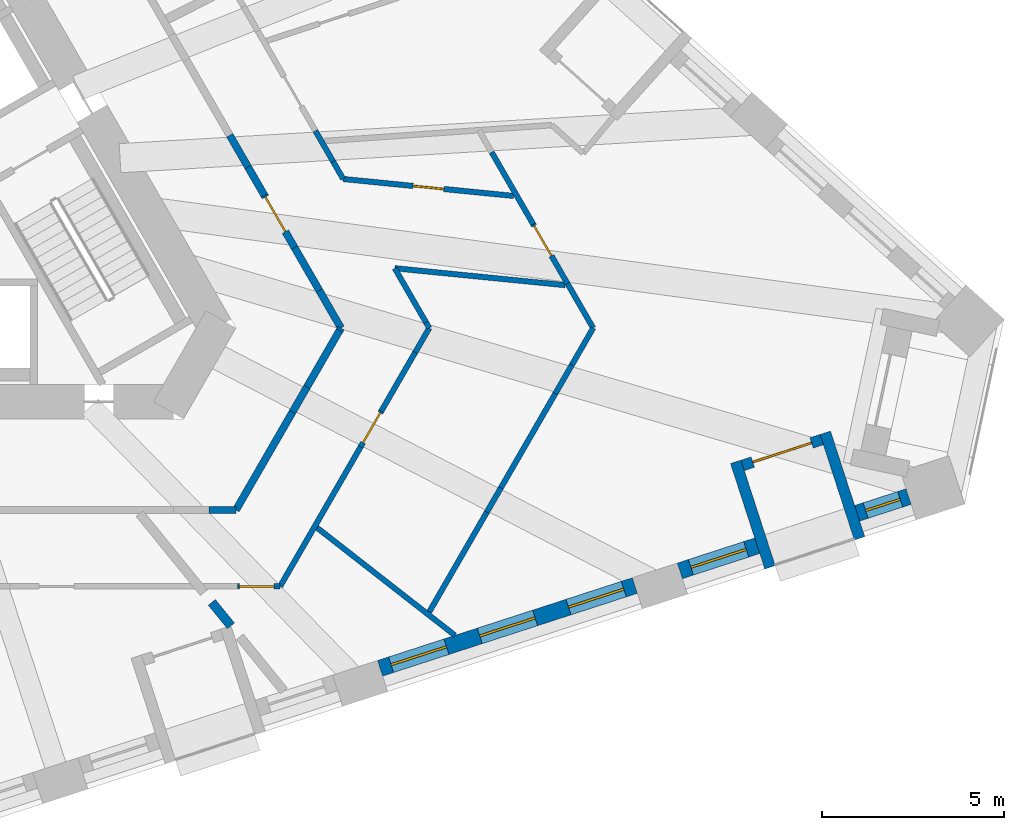
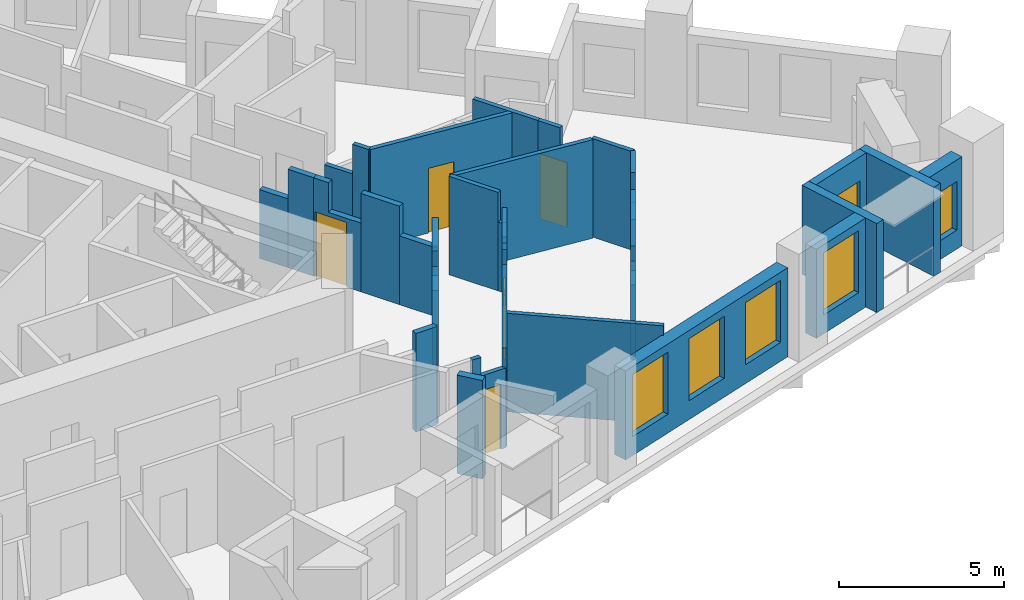
# One storey, part 6 of 13: 37 walls, 6 doors, 5 windows, 11 openings.
"""IFC4 building model written with IfcOpenShell, lengths in metres."""

from ifc_helpers import new_model, si_unit, direction, frame, frame_2d, origin, place, context, subcontext, project, spatial, polyline, rectangle, outline, extrude, material, layer, layer_set, type_object, element, fill, save


model = new_model("IFC4")

# Units and contexts
model_context = context("Model", 3, precision=1e-05, world=origin(), true_north=direction((0.0, 1.0)))
body_context = subcontext(model_context, "Body", "Model", "MODEL_VIEW")
ifc_project = project(units=[si_unit("LENGTHUNIT", "METRE"), si_unit("AREAUNIT", "SQUARE_METRE"), si_unit("VOLUMEUNIT", "CUBIC_METRE"), si_unit("PLANEANGLEUNIT", "RADIAN"), si_unit("MASSUNIT", "GRAM", prefix="KILO")], contexts=[model_context])

# Site, building, storey
site_placement = place(None, origin())
site = spatial("IfcSite", under=ifc_project, at=site_placement, CompositionType="ELEMENT")
building_placement = place(site_placement, origin())
building = spatial("IfcBuilding", under=site, at=building_placement, Name="Tramontana Tower", CompositionType="ELEMENT")
storey_placement = place(building_placement, frame((0.0, 0.0, 112.39990234375)))
storey = spatial("IfcBuildingStorey", under=building, at=storey_placement, Name="L25", CompositionType="ELEMENT", Elevation=112.39990234375)

# Walls
ifc_material_1 = material(Name="Blockwork", Category="masonry")
ifc_layer_1 = layer(ifc_material_1, 0.199951171875)
ifc_layer_set_1 = layer_set([ifc_layer_1], Name="ENTRY WALL 200")
wall_type_1 = type_object("IfcWallType", Name="ENTRY WALL 200", PredefinedType="SOLIDWALL", material=ifc_layer_set_1)
wall_1_placement = place(storey_placement, frame((10.077392578125, 1.04541015625, 0.0), z_axis=(0.0, 0.0, 1.0), x_axis=(0.500051323872, -0.865995769906, 0.0)))
element("IfcWall", 1, at=wall_1_placement, inside=storey, type_object=wall_type_1, Name="Wall v22-ew0-7", PredefinedType="SOLIDWALL", context=body_context, shape_type="SweptSolid", body=[
    extrude(rectangle(XDim=1.0068359375, YDim=0.199951171875, at=frame_2d((0.50341796875, 0.0))), origin(), (0.0, 0.0, 1.0), 2.550048828125),
])
wall_2_placement = place(storey_placement, frame((10.580810546875, 0.173583984375, 0.0), z_axis=(0.0, 0.0, 1.0), x_axis=(0.499902469156, -0.866081705922, 0.0)))
element("IfcWall", 2, at=wall_2_placement, inside=storey, type_object=wall_type_1, Name="Wall v22-ew0-8", PredefinedType="SOLIDWALL", context=body_context, shape_type="SweptSolid", body=[
    extrude(rectangle(XDim=0.900146484375, YDim=0.199951171875, at=frame_2d((0.4501953125, 0.0))), origin(), (0.0, 0.0, 1.0), 3.650146484375),
])

# Wall, opening, door
wall_3_placement = place(storey_placement, frame((11.03076171875, -0.60595703125, 0.0), z_axis=(0.0, 0.0, 1.0), x_axis=(0.49997779057, -0.866038226025, 0.0)))
wall_3 = element("IfcWall", 3, at=wall_3_placement, inside=storey, type_object=wall_type_1, Name="Wall v22-ew0-9", PredefinedType="SOLIDWALL", context=body_context, shape_type="SweptSolid", body=[
    extrude(outline(polyline([(0.0, 0.0), (1.6552734375, 0.0), (1.655517578125, 2.550048828125), (0.519287109375, 2.550048828125), (0.519287109375, 3.650146484375), (0.0, 3.650146484375), (0.0, 0.0)])), frame((0.0, 0.10009765625, 0.0), z_axis=(0.0, -1.0, 0.0), x_axis=(1.0, 0.0, 0.0)), (0.0, 0.0, 1.0), 0.199951171875),
])
opening_1_placement = place(wall_3_placement, frame((0.050048828125, 0.0, 0.0)))
opening_1 = element("IfcOpeningElement", 4, at=opening_1_placement, cuts=wall_3, Name="Opening B2C-24", PredefinedType="OPENING", context=body_context, shape_type="SweptSolid", body=[
    extrude(rectangle(XDim=1.10009765625, YDim=2.39990234375, at=frame_2d((0.550048828125, 1.199951171875))), frame((0.0, 0.10986328125, 0.0), z_axis=(0.0, -1.0, 0.0), x_axis=(1.0, 0.0, 0.0)), (0.0, 0.0, 1.0), 0.219970703125),
])
ifc_material_2 = material(Name="Painted timber", Category="wood")
door_type_1 = type_object("IfcDoorType", Name="DOOR ENTRY 1100", OperationType="SINGLE_SWING_LEFT", PredefinedType="DOOR", material=ifc_material_2)
door_1_placement = place(opening_1_placement, origin())
door_1 = element("IfcDoor", 5, at=door_1_placement, inside=storey, type_object=door_type_1, Name="Door B2C-24", OperationType="SINGLE_SWING_RIGHT", OverallHeight=2.39990234375, OverallWidth=1.10009765625, PredefinedType="DOOR", context=body_context, shape_type="SweptSolid", body=[
    extrude(rectangle(XDim=1.10009765625, YDim=2.39990234375, at=frame_2d((0.550048828125, 1.199951171875))), frame((0.0, 0.02490234375, 0.0), z_axis=(0.0, -1.0, 0.0), x_axis=(1.0, 0.0, 0.0)), (0.0, 0.0, 1.0), 0.050048828125),
])
fill(opening_1, door_1)

# Walls
wall_4_placement = place(storey_placement, frame((11.8583984375, -2.03955078125, 0.0), z_axis=(0.0, 0.0, 1.0), x_axis=(0.500038357328, -0.866003257038, 0.0)))
element("IfcWall", 6, at=wall_4_placement, inside=storey, type_object=wall_type_1, Name="Wall v22-ew0-10", PredefinedType="SOLIDWALL", context=body_context, shape_type="SweptSolid", body=[
    extrude(rectangle(XDim=1.3603515625, YDim=0.199951171875, at=frame_2d((0.68017578125, 0.0))), origin(), (0.0, 0.0, 1.0), 3.650146484375),
])
wall_5_placement = place(storey_placement, frame((12.53857421875, -3.217529296875, 0.0), z_axis=(0.0, 0.0, 1.0), x_axis=(0.500059236744, -0.865991200733, 0.0)))
element("IfcWall", 7, at=wall_5_placement, inside=storey, type_object=wall_type_1, Name="Wall v22-ew0-11", PredefinedType="SOLIDWALL", context=body_context, shape_type="SweptSolid", body=[
    extrude(rectangle(XDim=1.192138671875, YDim=0.199951171875, at=frame_2d((0.59619140625, 0.0))), origin(), (0.0, 0.0, 1.0), 2.550048828125),
])
wall_6_placement = place(storey_placement, frame((13.134765625, -4.25, 0.0), z_axis=(0.0, 0.0, 1.0), x_axis=(-0.501397775159, -0.865216892499, 0.0)))
element("IfcWall", 8, at=wall_6_placement, inside=storey, type_object=wall_type_1, Name="Wall v22-ew1-0", PredefinedType="SOLIDWALL", context=body_context, shape_type="SweptSolid", body=[
    extrude(rectangle(XDim=0.079833984375, YDim=0.199951171875, at=frame_2d((0.0400390625, 0.0))), origin(), (0.0, 0.0, 1.0), 2.550048828125),
])
wall_7_placement = place(storey_placement, frame((13.0947265625, -4.319091796875, 0.0), z_axis=(0.0, 0.0, 1.0), x_axis=(-0.499986405537, -0.866033252409, 0.0)))
element("IfcWall", 9, at=wall_7_placement, inside=storey, type_object=wall_type_1, Name="Wall v22-ew1-1", PredefinedType="SOLIDWALL", context=body_context, shape_type="SweptSolid", body=[
    extrude(rectangle(XDim=1.7880859375, YDim=0.199951171875, at=frame_2d((0.89404296875, 0.0))), origin(), (0.0, 0.0, 1.0), 3.650146484375),
])
wall_8_placement = place(storey_placement, frame((12.20068359375, -5.86767578125, 0.0), z_axis=(0.0, 0.0, 1.0), x_axis=(-0.499942357345, -0.866058681229, 0.0)))
element("IfcWall", 10, at=wall_8_placement, inside=storey, type_object=wall_type_1, Name="Wall v22-ew1-2", PredefinedType="SOLIDWALL", context=body_context, shape_type="SweptSolid", body=[
    extrude(rectangle(XDim=0.80078125, YDim=0.199951171875, at=frame_2d((0.400390625, 0.0))), origin(), (0.0, 0.0, 1.0), 2.75),
])
wall_9_placement = place(storey_placement, frame((11.80029296875, -6.561279296875, 0.0), z_axis=(0.0, 0.0, 1.0), x_axis=(-0.499978855264, -0.866037611359, 0.0)))
element("IfcWall", 11, at=wall_9_placement, inside=storey, type_object=wall_type_1, Name="Wall v22-ew1-3", PredefinedType="SOLIDWALL", context=body_context, shape_type="SweptSolid", body=[
    extrude(rectangle(XDim=3.104736328125, YDim=0.199951171875, at=frame_2d((1.55224609375, 0.0))), origin(), (0.0, 0.0, 1.0), 3.650146484375),
])
wall_10_placement = place(storey_placement, frame((10.248046875, -9.25, 0.0), z_axis=(0.0, 0.0, 1.0), x_axis=(-1.0, 0.0, 0.0)))
element("IfcWall", 12, at=wall_10_placement, inside=storey, type_object=wall_type_1, Name="Wall v22-ew2-0", PredefinedType="SOLIDWALL", context=body_context, shape_type="SweptSolid", body=[
    extrude(rectangle(XDim=0.74365234375, YDim=0.199951171875, at=frame_2d((0.371826171875, 0.0))), origin(), (0.0, 0.0, 1.0), 3.650146484375),
])

# Wall, openings, windows
ifc_material_3 = material(Name="Precast concrete 60 MPa", Category="concrete")
ifc_layer_2 = layer(ifc_material_3, 0.449951171875)
ifc_layer_set_2 = layer_set([ifc_layer_2], Name="Precast concrete 60 MPa, 450 mm")
wall_type_2 = type_object("IfcWallType", Name="EW1 Stone-faced precast wall 450", PredefinedType="SOLIDWALL", material=ifc_layer_set_2)
wall_11_placement = place(storey_placement, frame((14.208251953125, -13.60009765625, 0.0), z_axis=(0.0, 0.0, 1.0), x_axis=(0.951057467065, 0.309014068191, 0.0)))
wall_11 = element("IfcWall", 13, at=wall_11_placement, inside=storey, type_object=wall_type_2, Name="External wall L25 face 1 bay 5", PredefinedType="SOLIDWALL", context=body_context, shape_type="SweptSolid", body=[
    extrude(rectangle(XDim=7.360107421875, YDim=0.449951171875, at=frame_2d((3.68017578125, 0.0))), origin(), (0.0, 0.0, 1.0), 3.300048828125),
])
opening_2_placement = place(wall_11_placement, frame((0.318359375, 0.0, 0.699951171875)))
opening_2 = element("IfcOpeningElement", 14, at=opening_2_placement, cuts=wall_11, Name="Opening M1", PredefinedType="OPENING", context=body_context, shape_type="SweptSolid", body=[
    extrude(rectangle(XDim=1.60009765625, YDim=2.300048828125, at=frame_2d((0.800048828125, 1.14990234375))), frame((0.0, 0.23486328125, 0.0), z_axis=(0.0, -1.0, 0.0), x_axis=(1.0, 0.0, 0.0)), (0.0, 0.0, 1.0), 0.469970703125),
])
opening_3_placement = place(wall_11_placement, frame((2.880126953125, 0.0, 0.699951171875)))
opening_3 = element("IfcOpeningElement", 15, at=opening_3_placement, cuts=wall_11, Name="Opening M1", PredefinedType="OPENING", context=body_context, shape_type="SweptSolid", body=[
    extrude(rectangle(XDim=1.60009765625, YDim=2.300048828125, at=frame_2d((0.800048828125, 1.14990234375))), frame((0.0, 0.23486328125, 0.0), z_axis=(0.0, -1.0, 0.0), x_axis=(1.0, 0.0, 0.0)), (0.0, 0.0, 1.0), 0.469970703125),
])
opening_4_placement = place(wall_11_placement, frame((5.44189453125, 0.0, 0.699951171875)))
opening_4 = element("IfcOpeningElement", 16, at=opening_4_placement, cuts=wall_11, Name="Opening M1", PredefinedType="OPENING", context=body_context, shape_type="SweptSolid", body=[
    extrude(rectangle(XDim=1.60009765625, YDim=2.300048828125, at=frame_2d((0.800048828125, 1.14990234375))), frame((0.0, 0.23486328125, 0.0), z_axis=(0.0, -1.0, 0.0), x_axis=(1.0, 0.0, 0.0)), (0.0, 0.0, 1.0), 0.469970703125),
])
ifc_material_4 = material(Name="Aluminum frame, double glazing unit", Category="aluminium")
window_type_1 = type_object("IfcWindowType", Name="M1 Window 1.6 x 2.3", PartitioningType="SINGLE_PANEL", PredefinedType="WINDOW", material=ifc_material_4)
window_1_placement = place(opening_2_placement, origin())
window_1 = element("IfcWindow", 17, at=window_1_placement, inside=storey, type_object=window_type_1, Name="Window M1 L25 face 1 module 13", OverallHeight=2.300048828125, OverallWidth=1.60009765625, PartitioningType="SINGLE_PANEL", PredefinedType="WINDOW", context=body_context, shape_type="SweptSolid", body=[
    extrude(rectangle(XDim=1.60009765625, YDim=2.300048828125, at=frame_2d((0.800048828125, 1.14990234375))), frame((0.0, 0.030029296875, 0.0), z_axis=(0.0, -1.0, 0.0), x_axis=(1.0, 0.0, 0.0)), (0.0, 0.0, 1.0), 0.06005859375),
])
fill(opening_2, window_1)
window_2_placement = place(opening_3_placement, origin())
window_2 = element("IfcWindow", 18, at=window_2_placement, inside=storey, type_object=window_type_1, Name="Window M1 L25 face 1 module 14", OverallHeight=2.300048828125, OverallWidth=1.60009765625, PartitioningType="SINGLE_PANEL", PredefinedType="WINDOW", context=body_context, shape_type="SweptSolid", body=[
    extrude(rectangle(XDim=1.60009765625, YDim=2.300048828125, at=frame_2d((0.800048828125, 1.14990234375))), frame((0.0, 0.030029296875, 0.0), z_axis=(0.0, -1.0, 0.0), x_axis=(1.0, 0.0, 0.0)), (0.0, 0.0, 1.0), 0.06005859375),
])
fill(opening_3, window_2)
window_3_placement = place(opening_4_placement, origin())
window_3 = element("IfcWindow", 19, at=window_3_placement, inside=storey, type_object=window_type_1, Name="Window M1 L25 face 1 module 15", OverallHeight=2.300048828125, OverallWidth=1.60009765625, PartitioningType="SINGLE_PANEL", PredefinedType="WINDOW", context=body_context, shape_type="SweptSolid", body=[
    extrude(rectangle(XDim=1.60009765625, YDim=2.300048828125, at=frame_2d((0.800048828125, 1.14990234375))), frame((0.0, 0.030029296875, 0.0), z_axis=(0.0, -1.0, 0.0), x_axis=(1.0, 0.0, 0.0)), (0.0, 0.0, 1.0), 0.06005859375),
])
fill(opening_4, window_3)

# Wall, opening, window
wall_12_placement = place(storey_placement, frame((22.444580078125, -10.923828125, 0.0), z_axis=(0.0, 0.0, 1.0), x_axis=(0.951067749801, 0.30898241906, 0.0)))
wall_12 = element("IfcWall", 20, at=wall_12_placement, inside=storey, type_object=wall_type_2, Name="External wall L25 face 1 bay 6", PredefinedType="SOLIDWALL", context=body_context, shape_type="SweptSolid", body=[
    extrude(rectangle(XDim=2.23681640625, YDim=0.449951171875, at=frame_2d((1.118408203125, 0.0))), origin(), (0.0, 0.0, 1.0), 3.300048828125),
])
opening_5_placement = place(wall_12_placement, frame((0.318359375, 0.0, 0.699951171875)))
opening_5 = element("IfcOpeningElement", 21, at=opening_5_placement, cuts=wall_12, Name="Opening M1", PredefinedType="OPENING", context=body_context, shape_type="SweptSolid", body=[
    extrude(rectangle(XDim=1.60009765625, YDim=2.300048828125, at=frame_2d((0.800048828125, 1.14990234375))), frame((0.0, 0.23486328125, 0.0), z_axis=(0.0, -1.0, 0.0), x_axis=(1.0, 0.0, 0.0)), (0.0, 0.0, 1.0), 0.469970703125),
])
window_4_placement = place(opening_5_placement, origin())
window_4 = element("IfcWindow", 22, at=window_4_placement, inside=storey, type_object=window_type_1, Name="Window M1 L25 face 1 module 16", OverallHeight=2.300048828125, OverallWidth=1.60009765625, PartitioningType="SINGLE_PANEL", PredefinedType="WINDOW", context=body_context, shape_type="SweptSolid", body=[
    extrude(rectangle(XDim=1.60009765625, YDim=2.300048828125, at=frame_2d((0.800048828125, 1.14990234375))), frame((0.0, 0.030029296875, 0.0), z_axis=(0.0, -1.0, 0.0), x_axis=(1.0, 0.0, 0.0)), (0.0, 0.0, 1.0), 0.06005859375),
])
fill(opening_5, window_4)

wall_13_placement = place(storey_placement, frame((27.3173828125, -9.340576171875, 0.0), z_axis=(0.0, 0.0, 1.0), x_axis=(0.951053373744, 0.309026665985, 0.0)))
wall_13 = element("IfcWall", 23, at=wall_13_placement, inside=storey, type_object=wall_type_2, Name="External wall L25 face 1 bay 6", PredefinedType="SOLIDWALL", context=body_context, shape_type="SweptSolid", body=[
    extrude(rectangle(XDim=1.48681640625, YDim=0.449951171875, at=frame_2d((0.743408203125, 0.0))), origin(), (0.0, 0.0, 1.0), 3.300048828125),
])
opening_6_placement = place(wall_13_placement, frame((0.243408203125, 0.0, 0.699951171875)))
opening_6 = element("IfcOpeningElement", 24, at=opening_6_placement, cuts=wall_13, Name="Opening N1L", PredefinedType="OPENING", context=body_context, shape_type="SweptSolid", body=[
    extrude(rectangle(XDim=1.0, YDim=1.800048828125, at=frame_2d((0.5, 0.89990234375))), frame((0.0, 0.23486328125, 0.0), z_axis=(0.0, -1.0, 0.0), x_axis=(1.0, 0.0, 0.0)), (0.0, 0.0, 1.0), 0.469970703125),
])
ifc_material_5 = material(Name="Aluminum frame, double glazing unit", Category="aluminium")
window_type_2 = type_object("IfcWindowType", Name="N1L Window 1 x 1.8", PartitioningType="SINGLE_PANEL", PredefinedType="WINDOW", material=ifc_material_5)
window_5_placement = place(opening_6_placement, origin())
window_5 = element("IfcWindow", 25, at=window_5_placement, inside=storey, type_object=window_type_2, Name="Window N1L L25 face 1 module 18", OverallHeight=1.800048828125, OverallWidth=1.0, PartitioningType="SINGLE_PANEL", PredefinedType="WINDOW", context=body_context, shape_type="SweptSolid", body=[
    extrude(rectangle(XDim=1.0, YDim=1.800048828125, at=frame_2d((0.5, 0.89990234375))), frame((0.0, 0.030029296875, 0.0), z_axis=(0.0, -1.0, 0.0), x_axis=(1.0, 0.0, 0.0)), (0.0, 0.0, 1.0), 0.06005859375),
])
fill(opening_6, window_5)

# Wall, opening, door
ifc_material_6 = material(Name="Precast concrete 60 MPa", Category="concrete")
ifc_layer_3 = layer(ifc_material_6, 0.300048828125)
ifc_layer_set_3 = layer_set([ifc_layer_3], Name="LW1 Stone-faced loggia wall 300")
wall_type_3 = type_object("IfcWallType", Name="LW1 Stone-faced loggia wall 300", PredefinedType="SOLIDWALL", material=ifc_layer_set_3)
wall_14_placement = place(storey_placement, frame((24.169677734375, -8.02392578125, 0.0), z_axis=(0.0, 0.0, 1.0), x_axis=(0.95103720697, 0.309076416051, 0.0)))
wall_14 = element("IfcWall", 26, at=wall_14_placement, inside=storey, type_object=wall_type_3, Name="Loggia wall L25 G2S1.16", PredefinedType="SOLIDWALL", context=body_context, shape_type="SweptSolid", body=[
    extrude(rectangle(XDim=2.286865234375, YDim=0.300048828125, at=frame_2d((1.1435546875, 0.0))), origin(), (0.0, 0.0, 1.0), 3.300048828125),
])
opening_7_placement = place(wall_14_placement, frame((0.29345703125, 0.0, 0.0)))
opening_7 = element("IfcOpeningElement", 27, at=opening_7_placement, cuts=wall_14, Name="Opening BD-2S1-16", PredefinedType="OPENING", context=body_context, shape_type="SweptSolid", body=[
    extrude(rectangle(XDim=1.699951171875, YDim=2.39990234375, at=frame_2d((0.85009765625, 1.199951171875))), frame((0.0, 0.159912109375, 0.0), z_axis=(0.0, -1.0, 0.0), x_axis=(1.0, 0.0, 0.0)), (0.0, 0.0, 1.0), 0.320068359375),
])
ifc_material_7 = material(Name="Aluminum frame, double glazing unit", Category="aluminium")
door_type_2 = type_object("IfcDoorType", Name="BD1 Sliding door 1.7 x 2.4", OperationType="SLIDING_TO_LEFT", PredefinedType="DOOR", material=ifc_material_7)
door_2_placement = place(opening_7_placement, origin())
door_2 = element("IfcDoor", 28, at=door_2_placement, inside=storey, type_object=door_type_2, Name="Loggia door L25 G2S1.16", OperationType="SLIDING_TO_LEFT", OverallHeight=2.39990234375, OverallWidth=1.699951171875, PredefinedType="DOOR", context=body_context, shape_type="SweptSolid", body=[
    extrude(rectangle(XDim=1.699951171875, YDim=2.39990234375, at=frame_2d((0.85009765625, 1.199951171875))), frame((0.0, 0.02490234375, 0.0), z_axis=(0.0, -1.0, 0.0), x_axis=(1.0, 0.0, 0.0)), (0.0, 0.0, 1.0), 0.050048828125),
])
fill(opening_7, door_2)

# Walls
wall_15_placement = place(storey_placement, frame((24.923095703125, -10.828369140625, 0.0), z_axis=(0.0, 0.0, 1.0), x_axis=(-0.308966615996, 0.951072883748, 0.0)))
element("IfcWall", 29, at=wall_15_placement, inside=storey, type_object=wall_type_3, Name="Loggia return L25 G2S1.16a", PredefinedType="SOLIDWALL", context=body_context, shape_type="SweptSolid", body=[
    extrude(rectangle(XDim=3.050048828125, YDim=0.300048828125, at=frame_2d((1.52490234375, 0.0))), origin(), (0.0, 0.0, 1.0), 3.300048828125),
])
wall_16_placement = place(storey_placement, frame((27.38330078125, -10.02880859375, 0.0), z_axis=(0.0, 0.0, 1.0), x_axis=(-0.308990138358, 0.951065241925, 0.0)))
element("IfcWall", 30, at=wall_16_placement, inside=storey, type_object=wall_type_3, Name="Loggia return L25 G2S1.16b", PredefinedType="SOLIDWALL", context=body_context, shape_type="SweptSolid", body=[
    extrude(rectangle(XDim=3.0498046875, YDim=0.300048828125, at=frame_2d((1.52490234375, 0.0))), origin(), (0.0, 0.0, 1.0), 3.300048828125),
])
ifc_material_8 = material(Name="Gypsum board partition")
ifc_layer_4 = layer(ifc_material_8, 0.14990234375)
ifc_layer_set_4 = layer_set([ifc_layer_4], Name="PARTITION 150")
wall_type_4 = type_object("IfcWallType", Name="PARTITION 150", PredefinedType="PARTITIONING", material=ifc_layer_set_4)
wall_17_placement = place(storey_placement, frame((12.429443359375, 1.171630859375, 0.0), z_axis=(0.0, 0.0, 1.0), x_axis=(0.499895202697, -0.866085900082, 0.0)))
element("IfcWall", 31, at=wall_17_placement, inside=storey, type_object=wall_type_4, Name="Wall v22-pw30-6", PredefinedType="PARTITIONING", context=body_context, shape_type="SweptSolid", body=[
    extrude(rectangle(XDim=0.978759765625, YDim=0.14990234375, at=frame_2d((0.4892578125, 0.0))), origin(), (0.0, 0.0, 1.0), 2.550048828125),
])
wall_18_placement = place(storey_placement, frame((12.918701171875, 0.323974609375, 0.0), z_axis=(0.0, 0.0, 1.0), x_axis=(0.500079039045, -0.865979765761, 0.0)))
element("IfcWall", 32, at=wall_18_placement, inside=storey, type_object=wall_type_4, Name="Wall v22-pw30-7", PredefinedType="PARTITIONING", context=body_context, shape_type="SweptSolid", body=[
    extrude(rectangle(XDim=0.55322265625, YDim=0.14990234375, at=frame_2d((0.276611328125, 0.0))), origin(), (0.0, 0.0, 1.0), 3.650146484375),
])

# Wall, opening, door
wall_19_placement = place(storey_placement, frame((11.46044921875, -11.35009765625, 0.0), z_axis=(0.0, 0.0, 1.0), x_axis=(-1.0, 0.0, 0.0)))
wall_19 = element("IfcWall", 33, at=wall_19_placement, inside=storey, type_object=wall_type_4, Name="Wall v22-pw35-0", PredefinedType="PARTITIONING", context=body_context, shape_type="SweptSolid", body=[
    extrude(outline(polyline([(0.0, 0.0), (1.170166015625, 0.0), (1.169921875, 3.650146484375), (0.869384765625, 3.650146484375), (0.869384765625, 2.9501953125), (0.0, 2.9501953125), (0.0, 0.0)])), frame((0.0, 0.074951171875, 0.0), z_axis=(0.0, -1.0, 0.0), x_axis=(1.0, 0.0, 0.0)), (0.0, 0.0, 1.0), 0.14990234375),
])
opening_8_placement = place(wall_19_placement, frame((0.169921875, 0.0, 0.0)))
opening_8 = element("IfcOpeningElement", 34, at=opening_8_placement, cuts=wall_19, Name="Opening B2C-18", PredefinedType="OPENING", context=body_context, shape_type="SweptSolid", body=[
    extrude(rectangle(XDim=0.949951171875, YDim=2.39990234375, at=frame_2d((0.47509765625, 1.199951171875))), frame((0.0, 0.0849609375, 0.0), z_axis=(0.0, -1.0, 0.0), x_axis=(1.0, 0.0, 0.0)), (0.0, 0.0, 1.0), 0.169921875),
])
ifc_material_9 = material(Name="Painted timber", Category="wood")
door_type_3 = type_object("IfcDoorType", Name="DOOR ROOM 950", OperationType="SINGLE_SWING_LEFT", PredefinedType="DOOR", material=ifc_material_9)
door_3_placement = place(opening_8_placement, origin())
door_3 = element("IfcDoor", 35, at=door_3_placement, inside=storey, type_object=door_type_3, Name="Door B2C-18", OperationType="SINGLE_SWING_RIGHT", OverallHeight=2.39990234375, OverallWidth=0.949951171875, PredefinedType="DOOR", context=body_context, shape_type="SweptSolid", body=[
    extrude(rectangle(XDim=0.949951171875, YDim=2.39990234375, at=frame_2d((0.47509765625, 1.199951171875))), frame((0.0, 0.02490234375, 0.0), z_axis=(0.0, -1.0, 0.0), x_axis=(1.0, 0.0, 0.0)), (0.0, 0.0, 1.0), 0.050048828125),
])
fill(opening_8, door_3)

wall_20_placement = place(storey_placement, frame((13.1953125, -0.155029296875, 0.0), z_axis=(0.0, 0.0, 1.0), x_axis=(0.995099623446, -0.098877395889, 0.0)))
wall_20 = element("IfcWall", 36, at=wall_20_placement, inside=storey, type_object=wall_type_4, Name="Wall v22-pw37", PredefinedType="PARTITIONING", context=body_context, shape_type="SweptSolid", body=[
    extrude(rectangle(XDim=4.708740234375, YDim=0.14990234375, at=frame_2d((2.3544921875, 0.0))), origin(), (0.0, 0.0, 1.0), 3.650146484375),
])
opening_9_placement = place(wall_20_placement, frame((1.92919921875, 0.0, 0.0)))
opening_9 = element("IfcOpeningElement", 37, at=opening_9_placement, cuts=wall_20, Name="Opening B2C-16", PredefinedType="OPENING", context=body_context, shape_type="SweptSolid", body=[
    extrude(rectangle(XDim=0.85009765625, YDim=2.39990234375, at=frame_2d((0.425048828125, 1.199951171875))), frame((0.0, 0.0849609375, 0.0), z_axis=(0.0, -1.0, 0.0), x_axis=(1.0, 0.0, 0.0)), (0.0, 0.0, 1.0), 0.169921875),
])
ifc_material_10 = material(Name="Painted timber", Category="wood")
door_type_4 = type_object("IfcDoorType", Name="DOOR BATH 850", OperationType="SINGLE_SWING_LEFT", PredefinedType="DOOR", material=ifc_material_10)
door_4_placement = place(opening_9_placement, origin())
door_4 = element("IfcDoor", 38, at=door_4_placement, inside=storey, type_object=door_type_4, Name="Door B2C-16", OperationType="SINGLE_SWING_RIGHT", OverallHeight=2.39990234375, OverallWidth=0.85009765625, PredefinedType="DOOR", context=body_context, shape_type="SweptSolid", body=[
    extrude(rectangle(XDim=0.85009765625, YDim=2.39990234375, at=frame_2d((0.425048828125, 1.199951171875))), frame((0.0, 0.02490234375, 0.0), z_axis=(0.0, -1.0, 0.0), x_axis=(1.0, 0.0, 0.0)), (0.0, 0.0, 1.0), 0.050048828125),
])
fill(opening_9, door_4)

# Walls
wall_21_placement = place(storey_placement, frame((14.611083984375, -2.60693359375, 0.0), z_axis=(0.0, 0.0, 1.0), x_axis=(0.499890896288, -0.866088385679, 0.0)))
element("IfcWall", 39, at=wall_21_placement, inside=storey, type_object=wall_type_4, Name="Wall v22-pw40-0", PredefinedType="PARTITIONING", context=body_context, shape_type="SweptSolid", body=[
    extrude(rectangle(XDim=1.71484375, YDim=0.14990234375, at=frame_2d((0.857421875, 0.0))), origin(), (0.0, 0.0, 1.0), 3.650146484375),
])
wall_22_placement = place(storey_placement, frame((15.46826171875, -4.092041015625, 0.0), z_axis=(0.0, 0.0, 1.0), x_axis=(0.50045593687, -0.865762008436, 0.0)))
element("IfcWall", 40, at=wall_22_placement, inside=storey, type_object=wall_type_4, Name="Wall v22-pw40-1", PredefinedType="PARTITIONING", context=body_context, shape_type="SweptSolid", body=[
    extrude(rectangle(XDim=0.182373046875, YDim=0.14990234375, at=frame_2d((0.09130859375, 0.0))), origin(), (0.0, 0.0, 1.0), 2.550048828125),
])
wall_23_placement = place(storey_placement, frame((15.5595703125, -4.25, 0.0), z_axis=(0.0, 0.0, 1.0), x_axis=(-0.500124558158, -0.865953478154, 0.0)))
element("IfcWall", 41, at=wall_23_placement, inside=storey, type_object=wall_type_4, Name="Wall v22-pw42-0", PredefinedType="PARTITIONING", context=body_context, shape_type="SweptSolid", body=[
    extrude(rectangle(XDim=0.770751953125, YDim=0.14990234375, at=frame_2d((0.38525390625, 0.0))), origin(), (0.0, 0.0, 1.0), 2.550048828125),
])
wall_24_placement = place(storey_placement, frame((15.174072265625, -4.91748046875, 0.0), z_axis=(0.0, 0.0, 1.0), x_axis=(-0.49996389635, -0.866046247233, 0.0)))
element("IfcWall", 42, at=wall_24_placement, inside=storey, type_object=wall_type_4, Name="Wall v22-pw42-1", PredefinedType="PARTITIONING", context=body_context, shape_type="SweptSolid", body=[
    extrude(rectangle(XDim=1.867431640625, YDim=0.14990234375, at=frame_2d((0.93359375, 0.0))), origin(), (0.0, 0.0, 1.0), 3.650146484375),
])

# Wall, opening, door
wall_25_placement = place(storey_placement, frame((14.240478515625, -6.53466796875, 0.0), z_axis=(0.0, 0.0, 1.0), x_axis=(-0.499958437573, -0.866049398533, 0.0)))
wall_25 = element("IfcWall", 43, at=wall_25_placement, inside=storey, type_object=wall_type_4, Name="Wall v22-pw42-2", PredefinedType="PARTITIONING", context=body_context, shape_type="SweptSolid", body=[
    extrude(outline(polyline([(0.0, 0.0), (1.13427734375, 0.0), (1.13427734375, 2.75), (0.3583984375, 2.75), (0.3583984375, 3.650146484375), (0.0, 3.650146484375), (0.0, 0.0)])), frame((0.0, 0.074951171875, 0.0), z_axis=(0.0, -1.0, 0.0), x_axis=(1.0, 0.0, 0.0)), (0.0, 0.0, 1.0), 0.14990234375),
])
opening_10_placement = place(wall_25_placement, frame((0.050048828125, 0.0, 0.0)))
opening_10 = element("IfcOpeningElement", 44, at=opening_10_placement, cuts=wall_25, Name="Opening B2C-15", PredefinedType="OPENING", context=body_context, shape_type="SweptSolid", body=[
    extrude(rectangle(XDim=0.949951171875, YDim=2.39990234375, at=frame_2d((0.47509765625, 1.199951171875))), frame((0.0, 0.0849609375, 0.0), z_axis=(0.0, -1.0, 0.0), x_axis=(1.0, 0.0, 0.0)), (0.0, 0.0, 1.0), 0.169921875),
])
door_5_placement = place(opening_10_placement, origin())
door_5 = element("IfcDoor", 45, at=door_5_placement, inside=storey, type_object=door_type_3, Name="Door B2C-15", OperationType="SINGLE_SWING_LEFT", OverallHeight=2.39990234375, OverallWidth=0.949951171875, PredefinedType="DOOR", context=body_context, shape_type="SweptSolid", body=[
    extrude(rectangle(XDim=0.949951171875, YDim=2.39990234375, at=frame_2d((0.47509765625, 1.199951171875))), frame((0.0, 0.02490234375, 0.0), z_axis=(0.0, -1.0, 0.0), x_axis=(1.0, 0.0, 0.0)), (0.0, 0.0, 1.0), 0.050048828125),
])
fill(opening_10, door_5)

# Walls
wall_26_placement = place(storey_placement, frame((13.67333984375, -7.51708984375, 0.0), z_axis=(0.0, 0.0, 1.0), x_axis=(-0.499983483481, -0.866034939391, 0.0)))
element("IfcWall", 46, at=wall_26_placement, inside=storey, type_object=wall_type_4, Name="Wall v22-pw42-3", PredefinedType="PARTITIONING", context=body_context, shape_type="SweptSolid", body=[
    extrude(rectangle(XDim=4.426025390625, YDim=0.14990234375, at=frame_2d((2.212890625, 0.0))), origin(), (0.0, 0.0, 1.0), 3.650146484375),
])
wall_27_placement = place(storey_placement, frame((16.265869140625, -12.69482421875, 0.0), z_axis=(0.0, 0.0, 1.0), x_axis=(-0.788311576482, 0.615276245587, 0.0)))
element("IfcWall", 47, at=wall_27_placement, inside=storey, type_object=wall_type_4, Name="Wall v22-pw43", PredefinedType="PARTITIONING", context=body_context, shape_type="SweptSolid", body=[
    extrude(rectangle(XDim=4.8056640625, YDim=0.14990234375, at=frame_2d((2.40283203125, 0.0))), origin(), (0.0, 0.0, 1.0), 3.650146484375),
])
wall_28_placement = place(storey_placement, frame((17.273681640625, 0.5810546875, 0.0), z_axis=(0.0, 0.0, 1.0), x_axis=(0.500030411023, -0.86600784526, 0.0)))
element("IfcWall", 48, at=wall_28_placement, inside=storey, type_object=wall_type_4, Name="Wall v22-pw45-1", PredefinedType="PARTITIONING", context=body_context, shape_type="SweptSolid", body=[
    extrude(rectangle(XDim=2.287353515625, YDim=0.14990234375, at=frame_2d((1.1435546875, 0.0))), origin(), (0.0, 0.0, 1.0), 3.650146484375),
])

# Wall, opening, door
wall_29_placement = place(storey_placement, frame((18.41748046875, -1.39990234375, 0.0), z_axis=(0.0, 0.0, 1.0), x_axis=(0.499962016178, -0.866047332643, 0.0)))
wall_29 = element("IfcWall", 49, at=wall_29_placement, inside=storey, type_object=wall_type_4, Name="Wall v22-pw45-2", PredefinedType="PARTITIONING", context=body_context, shape_type="SweptSolid", body=[
    extrude(outline(polyline([(0.0, 0.0), (1.882080078125, 0.0), (1.8818359375, 2.550048828125), (0.777099609375, 2.550048828125), (0.777099609375, 3.650146484375), (0.0, 3.650146484375), (0.0, 0.0)])), frame((0.0, 0.074951171875, 0.0), z_axis=(0.0, -1.0, 0.0), x_axis=(1.0, 0.0, 0.0)), (0.0, 0.0, 1.0), 0.14990234375),
])
opening_11_placement = place(wall_29_placement, frame((0.050048828125, 0.0, 0.0)))
opening_11 = element("IfcOpeningElement", 50, at=opening_11_placement, cuts=wall_29, Name="Opening B2C-17", PredefinedType="OPENING", context=body_context, shape_type="SweptSolid", body=[
    extrude(rectangle(XDim=0.949951171875, YDim=2.39990234375, at=frame_2d((0.47509765625, 1.199951171875))), frame((0.0, 0.0849609375, 0.0), z_axis=(0.0, -1.0, 0.0), x_axis=(1.0, 0.0, 0.0)), (0.0, 0.0, 1.0), 0.169921875),
])
door_6_placement = place(opening_11_placement, origin())
door_6 = element("IfcDoor", 51, at=door_6_placement, inside=storey, type_object=door_type_3, Name="Door B2C-17", OperationType="SINGLE_SWING_LEFT", OverallHeight=2.39990234375, OverallWidth=0.949951171875, PredefinedType="DOOR", context=body_context, shape_type="SweptSolid", body=[
    extrude(rectangle(XDim=0.949951171875, YDim=2.39990234375, at=frame_2d((0.47509765625, 1.199951171875))), frame((0.0, 0.02490234375, 0.0), z_axis=(0.0, -1.0, 0.0), x_axis=(1.0, 0.0, 0.0)), (0.0, 0.0, 1.0), 0.050048828125),
])
fill(opening_11, door_6)

# Walls
wall_30_placement = place(storey_placement, frame((19.3583984375, -3.02978515625, 0.0), z_axis=(0.0, 0.0, 1.0), x_axis=(0.500052415518, -0.865995139556, 0.0)))
element("IfcWall", 52, at=wall_30_placement, inside=storey, type_object=wall_type_4, Name="Wall v22-pw45-3", PredefinedType="PARTITIONING", context=body_context, shape_type="SweptSolid", body=[
    extrude(rectangle(XDim=1.408935546875, YDim=0.14990234375, at=frame_2d((0.70458984375, 0.0))), origin(), (0.0, 0.0, 1.0), 3.650146484375),
])
wall_31_placement = place(storey_placement, frame((19.29638671875, -3.072509765625, 0.0), z_axis=(0.0, 0.0, 1.0), x_axis=(-0.995099116486, 0.098882497793, 0.0)))
element("IfcWall", 53, at=wall_31_placement, inside=storey, type_object=wall_type_4, Name="Wall v22-pw47", PredefinedType="PARTITIONING", context=body_context, shape_type="SweptSolid", body=[
    extrude(rectangle(XDim=4.70849609375, YDim=0.14990234375, at=frame_2d((2.354248046875, 0.0))), origin(), (0.0, 0.0, 1.0), 3.650146484375),
])
wall_32_placement = place(storey_placement, frame((20.06298828125, -4.25, 0.0), z_axis=(0.0, 0.0, 1.0), x_axis=(-0.500063427972, -0.865988780531, 0.0)))
element("IfcWall", 54, at=wall_32_placement, inside=storey, type_object=wall_type_4, Name="Wall v22-pw49-0", PredefinedType="PARTITIONING", context=body_context, shape_type="SweptSolid", body=[
    extrude(rectangle(XDim=1.177490234375, YDim=0.14990234375, at=frame_2d((0.5888671875, 0.0))), origin(), (0.0, 0.0, 1.0), 3.650146484375),
])
wall_33_placement = place(storey_placement, frame((19.47412109375, -5.269775390625, 0.0), z_axis=(0.0, 0.0, 1.0), x_axis=(-0.499988457423, -0.866032067792, 0.0)))
element("IfcWall", 55, at=wall_33_placement, inside=storey, type_object=wall_type_4, Name="Wall v22-pw49-1", PredefinedType="PARTITIONING", context=body_context, shape_type="SweptSolid", body=[
    extrude(rectangle(XDim=0.900390625, YDim=0.14990234375, at=frame_2d((0.4501953125, 0.0))), origin(), (0.0, 0.0, 1.0), 2.550048828125),
])
wall_34_placement = place(storey_placement, frame((19.02392578125, -6.049560546875, 0.0), z_axis=(0.0, 0.0, 1.0), x_axis=(-0.500009728207, -0.866019787128, 0.0)))
element("IfcWall", 56, at=wall_34_placement, inside=storey, type_object=wall_type_4, Name="Wall v22-pw49-2", PredefinedType="PARTITIONING", context=body_context, shape_type="SweptSolid", body=[
    extrude(rectangle(XDim=2.99169921875, YDim=0.14990234375, at=frame_2d((1.495849609375, 0.0))), origin(), (0.0, 0.0, 1.0), 3.650146484375),
])
wall_35_placement = place(storey_placement, frame((17.528076171875, -8.640380859375, 0.0), z_axis=(0.0, 0.0, 1.0), x_axis=(-0.500031167255, -0.866007408613, 0.0)))
element("IfcWall", 57, at=wall_35_placement, inside=storey, type_object=wall_type_4, Name="Wall v22-pw49-3", PredefinedType="PARTITIONING", context=body_context, shape_type="SweptSolid", body=[
    extrude(rectangle(XDim=0.77587890625, YDim=0.14990234375, at=frame_2d((0.387939453125, 0.0))), origin(), (0.0, 0.0, 1.0), 2.75),
])
wall_36_placement = place(storey_placement, frame((17.14013671875, -9.312255859375, 0.0), z_axis=(0.0, 0.0, 1.0), x_axis=(-0.499969915316, -0.866042772488, 0.0)))
element("IfcWall", 58, at=wall_36_placement, inside=storey, type_object=wall_type_4, Name="Wall v22-pw49-4", PredefinedType="PARTITIONING", context=body_context, shape_type="SweptSolid", body=[
    extrude(rectangle(XDim=3.159912109375, YDim=0.14990234375, at=frame_2d((1.580078125, 0.0))), origin(), (0.0, 0.0, 1.0), 3.650146484375),
])
ifc_material_11 = material(Name="Blockwork", Category="masonry")
ifc_layer_5 = layer(ifc_material_11, 0.25)
ifc_layer_set_5 = layer_set([ifc_layer_5], Name="PARTY WALL 250")
wall_type_5 = type_object("IfcWallType", Name="PARTY WALL 250", PredefinedType="SOLIDWALL", material=ifc_layer_set_5)
wall_37_placement = place(storey_placement, frame((9.58544921875, -11.7880859375, 0.0), z_axis=(0.0, 0.0, 1.0), x_axis=(0.63096784823, -0.775808980677, 0.0)))
element("IfcWall", 59, at=wall_37_placement, inside=storey, type_object=wall_type_5, Name="Wall v22-pw32", PredefinedType="SOLIDWALL", context=body_context, shape_type="SweptSolid", body=[
    extrude(rectangle(XDim=0.832763671875, YDim=0.25, at=frame_2d((0.41650390625, 0.0))), origin(), (0.0, 0.0, 1.0), 3.650146484375),
])

save(model, "model.ifc")
